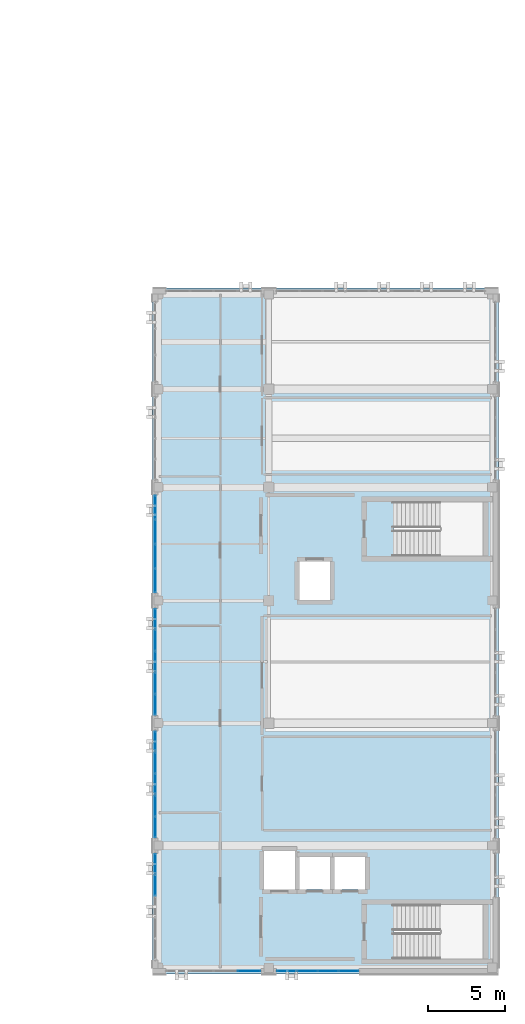
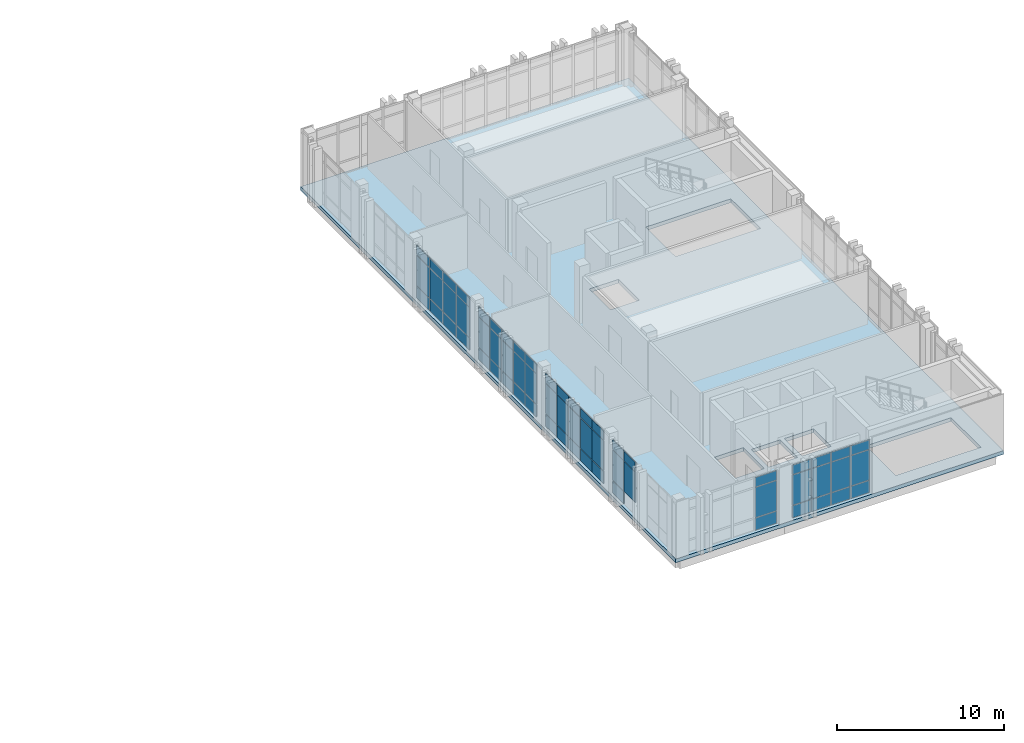
# One storey, part 55 of 77: 62 plates, 1 slab, 6 elements without a shape of their own.
"""IFC4 building model written with IfcOpenShell, lengths in metres."""

from ifc_helpers import new_model, si_unit, direction, frame, origin, origin_2d, place, context, subcontext, project, spatial, polyline, rectangle, outline, extrude, material, layer, layer_set, type_object, element, aggregate, save


model = new_model("IFC4")

# Units and contexts
model_context = context("Model", 3, precision=1e-05, world=origin(), true_north=direction((0.0, 1.0)))
body_context = subcontext(model_context, "Body", "Model", "MODEL_VIEW")
ifc_project = project(units=[si_unit("LENGTHUNIT", "METRE"), si_unit("AREAUNIT", "SQUARE_METRE"), si_unit("VOLUMEUNIT", "CUBIC_METRE"), si_unit("PLANEANGLEUNIT", "RADIAN"), si_unit("MASSUNIT", "GRAM", prefix="KILO")], contexts=[model_context])

# Site, building, storey
site_placement = place(None, origin())
site = spatial("IfcSite", under=ifc_project, at=site_placement, CompositionType="ELEMENT")
building_placement = place(site_placement, origin())
building = spatial("IfcBuilding", under=site, at=building_placement, Name="Qalavern Law Courts", CompositionType="ELEMENT")
storey_placement = place(building_placement, frame((0.0, 0.0, 27.0)))
storey = spatial("IfcBuildingStorey", under=building, at=storey_placement, Name="L06", CompositionType="ELEMENT", Elevation=27.0)

# Curtain wall, plates
ifc_material_1 = material(Name="Anodised aluminium and insulated glazing", Category="aluminium")
ifc_layer_1 = layer(ifc_material_1, 0.159912109375)
ifc_layer_set_1 = layer_set([ifc_layer_1], Name="Anodised aluminium and insulated glazing")
curtain_wall_type = type_object("IfcCurtainWallType", Name="ENV-CW-CHAMB", PredefinedType="USERDEFINED", material=ifc_layer_set_1)
curtain_wall_1_placement = place(storey_placement, origin())
curtain_wall_1 = element("IfcCurtainWall", 1, at=curtain_wall_1_placement, inside=storey, type_object=curtain_wall_type, Name="V4 unitised curtain wall L06 south 1", ObjectType="UNITISED CURTAIN WALL", PredefinedType="USERDEFINED")
ifc_material_2 = material(Name="Insulated low-E acoustic glazing", Category="glass")
ifc_layer_2 = layer(ifc_material_2, 0.031982421875)
ifc_layer_set_2 = layer_set([ifc_layer_2], Name="Insulated low-E acoustic glazing")
plate_type_1 = type_object("IfcPlateType", Name="ENV-CWP-32", PredefinedType="CURTAIN_PANEL", material=ifc_layer_set_2)
plate_1_placement = place(storey_placement, frame((90.512939453125, 41.205078125, 0.048095703125), z_axis=(0.0, 0.0, 1.0), x_axis=(1.0, 0.0, 0.0)))
plate_1 = element("IfcPlate", 2, at=plate_1_placement, type_object=plate_type_1, Name="CW-04 panel 4.1", PredefinedType="CURTAIN_PANEL", context=body_context, shape_type="SweptSolid", body=[
    extrude(rectangle(XDim=1.47802734375, YDim=0.031982421875, at=origin_2d()), origin(), (0.0, 0.0, 1.0), 0.8779296875),
])
plate_2_placement = place(storey_placement, frame((90.512939453125, 41.205078125, 0.973876953125), z_axis=(0.0, 0.0, 1.0), x_axis=(1.0, 0.0, 0.0)))
plate_2 = element("IfcPlate", 3, at=plate_2_placement, type_object=plate_type_1, Name="CW-04 panel 4.2", PredefinedType="CURTAIN_PANEL", context=body_context, shape_type="SweptSolid", body=[
    extrude(rectangle(XDim=1.47802734375, YDim=0.031982421875, at=origin_2d()), origin(), (0.0, 0.0, 1.0), 2.18701171875),
])
plate_3_placement = place(storey_placement, frame((90.512939453125, 41.205078125, 3.208984375), z_axis=(0.0, 0.0, 1.0), x_axis=(1.0, 0.0, 0.0)))
plate_3 = element("IfcPlate", 4, at=plate_3_placement, type_object=plate_type_1, Name="CW-04 panel 4.3", PredefinedType="CURTAIN_PANEL", context=body_context, shape_type="SweptSolid", body=[
    extrude(rectangle(XDim=1.47802734375, YDim=0.031982421875, at=origin_2d()), origin(), (0.0, 0.0, 1.0), 0.677978515625),
])
aggregate(curtain_wall_1, [plate_1, plate_2, plate_3])

curtain_wall_2_placement = place(storey_placement, origin())
curtain_wall_2 = element("IfcCurtainWall", 5, at=curtain_wall_2_placement, inside=storey, type_object=curtain_wall_type, Name="V4 unitised curtain wall L06 south 2", ObjectType="UNITISED CURTAIN WALL", PredefinedType="USERDEFINED")
ifc_layer_3 = layer(ifc_material_2, 0.035888671875)
ifc_layer_set_3 = layer_set([ifc_layer_3], Name="Insulated low-E acoustic glazing")
plate_type_2 = type_object("IfcPlateType", Name="ENV-CWP-36", PredefinedType="CURTAIN_PANEL", material=ifc_layer_set_3)
plate_4_placement = place(storey_placement, frame((92.987060546875, 41.205078125, 0.048095703125), z_axis=(0.0, 0.0, 1.0), x_axis=(1.0, 0.0, 0.0)))
plate_4 = element("IfcPlate", 6, at=plate_4_placement, type_object=plate_type_2, Name="CW-04 panel 1.1", PredefinedType="CURTAIN_PANEL", context=body_context, shape_type="SweptSolid", body=[
    extrude(rectangle(XDim=1.278076171875, YDim=0.035888671875, at=origin_2d()), origin(), (0.0, 0.0, 1.0), 0.8779296875),
])
plate_5_placement = place(storey_placement, frame((92.987060546875, 41.205078125, 0.973876953125), z_axis=(0.0, 0.0, 1.0), x_axis=(1.0, 0.0, 0.0)))
plate_5 = element("IfcPlate", 7, at=plate_5_placement, type_object=plate_type_2, Name="CW-04 panel 1.2", PredefinedType="CURTAIN_PANEL", context=body_context, shape_type="SweptSolid", body=[
    extrude(rectangle(XDim=1.278076171875, YDim=0.035888671875, at=origin_2d()), origin(), (0.0, 0.0, 1.0), 2.18701171875),
])
plate_6_placement = place(storey_placement, frame((92.987060546875, 41.205078125, 3.208984375), z_axis=(0.0, 0.0, 1.0), x_axis=(1.0, 0.0, 0.0)))
plate_6 = element("IfcPlate", 8, at=plate_6_placement, type_object=plate_type_2, Name="CW-04 panel 1.3", PredefinedType="CURTAIN_PANEL", context=body_context, shape_type="SweptSolid", body=[
    extrude(rectangle(XDim=1.278076171875, YDim=0.035888671875, at=origin_2d()), origin(), (0.0, 0.0, 1.0), 0.677978515625),
])
plate_7_placement = place(storey_placement, frame((94.324951171875, 41.205078125, 0.048095703125), z_axis=(0.0, 0.0, 1.0), x_axis=(1.0, 0.0, 0.0)))
plate_7 = element("IfcPlate", 9, at=plate_7_placement, type_object=plate_type_2, Name="CW-04 panel 2.1", PredefinedType="CURTAIN_PANEL", context=body_context, shape_type="SweptSolid", body=[
    extrude(rectangle(XDim=1.302001953125, YDim=0.035888671875, at=origin_2d()), origin(), (0.0, 0.0, 1.0), 0.8779296875),
])
plate_8_placement = place(storey_placement, frame((94.324951171875, 41.205078125, 0.973876953125), z_axis=(0.0, 0.0, 1.0), x_axis=(1.0, 0.0, 0.0)))
plate_8 = element("IfcPlate", 10, at=plate_8_placement, type_object=plate_type_2, Name="CW-04 panel 2.2", PredefinedType="CURTAIN_PANEL", context=body_context, shape_type="SweptSolid", body=[
    extrude(rectangle(XDim=1.302001953125, YDim=0.035888671875, at=origin_2d()), origin(), (0.0, 0.0, 1.0), 2.18701171875),
])
plate_9_placement = place(storey_placement, frame((94.324951171875, 41.205078125, 3.208984375), z_axis=(0.0, 0.0, 1.0), x_axis=(1.0, 0.0, 0.0)))
plate_9 = element("IfcPlate", 11, at=plate_9_placement, type_object=plate_type_2, Name="CW-04 panel 2.3", PredefinedType="CURTAIN_PANEL", context=body_context, shape_type="SweptSolid", body=[
    extrude(rectangle(XDim=1.302001953125, YDim=0.035888671875, at=origin_2d()), origin(), (0.0, 0.0, 1.0), 0.677978515625),
])
plate_10_placement = place(storey_placement, frame((95.675048828125, 41.205078125, 0.048095703125), z_axis=(0.0, 0.0, 1.0), x_axis=(1.0, 0.0, 0.0)))
plate_10 = element("IfcPlate", 12, at=plate_10_placement, type_object=plate_type_2, Name="CW-04 panel 3.1", PredefinedType="CURTAIN_PANEL", context=body_context, shape_type="SweptSolid", body=[
    extrude(rectangle(XDim=1.302001953125, YDim=0.035888671875, at=origin_2d()), origin(), (0.0, 0.0, 1.0), 0.8779296875),
])
plate_11_placement = place(storey_placement, frame((95.675048828125, 41.205078125, 0.973876953125), z_axis=(0.0, 0.0, 1.0), x_axis=(1.0, 0.0, 0.0)))
plate_11 = element("IfcPlate", 13, at=plate_11_placement, type_object=plate_type_2, Name="CW-04 panel 3.2", PredefinedType="CURTAIN_PANEL", context=body_context, shape_type="SweptSolid", body=[
    extrude(rectangle(XDim=1.302001953125, YDim=0.035888671875, at=origin_2d()), origin(), (0.0, 0.0, 1.0), 2.18701171875),
])
plate_12_placement = place(storey_placement, frame((95.675048828125, 41.205078125, 3.208984375), z_axis=(0.0, 0.0, 1.0), x_axis=(1.0, 0.0, 0.0)))
plate_12 = element("IfcPlate", 14, at=plate_12_placement, type_object=plate_type_2, Name="CW-04 panel 3.3", PredefinedType="CURTAIN_PANEL", context=body_context, shape_type="SweptSolid", body=[
    extrude(rectangle(XDim=1.302001953125, YDim=0.035888671875, at=origin_2d()), origin(), (0.0, 0.0, 1.0), 0.677978515625),
])
plate_13_placement = place(storey_placement, frame((97.012939453125, 41.205078125, 0.048095703125), z_axis=(0.0, 0.0, 1.0), x_axis=(1.0, 0.0, 0.0)))
plate_13 = element("IfcPlate", 15, at=plate_13_placement, type_object=plate_type_2, Name="CW-04 panel 4.1", PredefinedType="CURTAIN_PANEL", context=body_context, shape_type="SweptSolid", body=[
    extrude(rectangle(XDim=1.278076171875, YDim=0.035888671875, at=origin_2d()), origin(), (0.0, 0.0, 1.0), 0.8779296875),
])
plate_14_placement = place(storey_placement, frame((97.012939453125, 41.205078125, 0.973876953125), z_axis=(0.0, 0.0, 1.0), x_axis=(1.0, 0.0, 0.0)))
plate_14 = element("IfcPlate", 16, at=plate_14_placement, type_object=plate_type_2, Name="CW-04 panel 4.2", PredefinedType="CURTAIN_PANEL", context=body_context, shape_type="SweptSolid", body=[
    extrude(rectangle(XDim=1.278076171875, YDim=0.035888671875, at=origin_2d()), origin(), (0.0, 0.0, 1.0), 2.18701171875),
])
plate_15_placement = place(storey_placement, frame((97.012939453125, 41.205078125, 3.208984375), z_axis=(0.0, 0.0, 1.0), x_axis=(1.0, 0.0, 0.0)))
plate_15 = element("IfcPlate", 17, at=plate_15_placement, type_object=plate_type_2, Name="CW-04 panel 4.3", PredefinedType="CURTAIN_PANEL", context=body_context, shape_type="SweptSolid", body=[
    extrude(rectangle(XDim=1.278076171875, YDim=0.035888671875, at=origin_2d()), origin(), (0.0, 0.0, 1.0), 0.677978515625),
])
aggregate(curtain_wall_2, [plate_4, plate_5, plate_6, plate_7, plate_8, plate_9, plate_10, plate_11, plate_12, plate_13, plate_14, plate_15])

curtain_wall_3_placement = place(storey_placement, origin())
curtain_wall_3 = element("IfcCurtainWall", 18, at=curtain_wall_3_placement, inside=storey, type_object=curtain_wall_type, Name="V4 unitised curtain wall L06 west 3", ObjectType="UNITISED CURTAIN WALL", PredefinedType="USERDEFINED")
ifc_layer_4 = layer(ifc_material_2, 0.0400390625)
ifc_layer_set_4 = layer_set([ifc_layer_4], Name="Insulated low-E acoustic glazing")
plate_type_3 = type_object("IfcPlateType", Name="ENV-CWP-40", PredefinedType="CURTAIN_PANEL", material=ifc_layer_set_4)
plate_16_placement = place(storey_placement, frame((84.385009765625, 71.488037109375, 0.048095703125), z_axis=(0.0, 0.0, 1.0), x_axis=(0.0, -1.0, 0.0)))
plate_16 = element("IfcPlate", 19, at=plate_16_placement, type_object=plate_type_3, Name="CW-04 panel 1.1", PredefinedType="CURTAIN_PANEL", context=body_context, shape_type="SweptSolid", body=[
    extrude(rectangle(XDim=1.528076171875, YDim=0.0400390625, at=origin_2d()), origin(), (0.0, 0.0, 1.0), 0.8779296875),
])
plate_17_placement = place(storey_placement, frame((84.385009765625, 71.488037109375, 0.973876953125), z_axis=(0.0, 0.0, 1.0), x_axis=(0.0, -1.0, 0.0)))
plate_17 = element("IfcPlate", 20, at=plate_17_placement, type_object=plate_type_3, Name="CW-04 panel 1.2", PredefinedType="CURTAIN_PANEL", context=body_context, shape_type="SweptSolid", body=[
    extrude(rectangle(XDim=1.528076171875, YDim=0.0400390625, at=origin_2d()), origin(), (0.0, 0.0, 1.0), 2.18701171875),
])
plate_18_placement = place(storey_placement, frame((84.385009765625, 71.488037109375, 3.208984375), z_axis=(0.0, 0.0, 1.0), x_axis=(0.0, -1.0, 0.0)))
plate_18 = element("IfcPlate", 21, at=plate_18_placement, type_object=plate_type_3, Name="CW-04 panel 1.3", PredefinedType="CURTAIN_PANEL", context=body_context, shape_type="SweptSolid", body=[
    extrude(rectangle(XDim=1.528076171875, YDim=0.0400390625, at=origin_2d()), origin(), (0.0, 0.0, 1.0), 0.677978515625),
])
plate_19_placement = place(storey_placement, frame((84.385009765625, 69.89990234375, 0.048095703125), z_axis=(0.0, 0.0, 1.0), x_axis=(0.0, -1.0, 0.0)))
plate_19 = element("IfcPlate", 22, at=plate_19_placement, type_object=plate_type_3, Name="CW-04 panel 2.1", PredefinedType="CURTAIN_PANEL", context=body_context, shape_type="SweptSolid", body=[
    extrude(rectangle(XDim=1.552001953125, YDim=0.0400390625, at=origin_2d()), origin(), (0.0, 0.0, 1.0), 0.8779296875),
])
plate_20_placement = place(storey_placement, frame((84.385009765625, 69.89990234375, 0.973876953125), z_axis=(0.0, 0.0, 1.0), x_axis=(0.0, -1.0, 0.0)))
plate_20 = element("IfcPlate", 23, at=plate_20_placement, type_object=plate_type_3, Name="CW-04 panel 2.2", PredefinedType="CURTAIN_PANEL", context=body_context, shape_type="SweptSolid", body=[
    extrude(rectangle(XDim=1.552001953125, YDim=0.0400390625, at=origin_2d()), origin(), (0.0, 0.0, 1.0), 2.18701171875),
])
plate_21_placement = place(storey_placement, frame((84.385009765625, 69.89990234375, 3.208984375), z_axis=(0.0, 0.0, 1.0), x_axis=(0.0, -1.0, 0.0)))
plate_21 = element("IfcPlate", 24, at=plate_21_placement, type_object=plate_type_3, Name="CW-04 panel 2.3", PredefinedType="CURTAIN_PANEL", context=body_context, shape_type="SweptSolid", body=[
    extrude(rectangle(XDim=1.552001953125, YDim=0.0400390625, at=origin_2d()), origin(), (0.0, 0.0, 1.0), 0.677978515625),
])
plate_22_placement = place(storey_placement, frame((84.385009765625, 68.300048828125, 0.048095703125), z_axis=(0.0, 0.0, 1.0), x_axis=(0.0, -1.0, 0.0)))
plate_22 = element("IfcPlate", 25, at=plate_22_placement, type_object=plate_type_3, Name="CW-04 panel 3.1", PredefinedType="CURTAIN_PANEL", context=body_context, shape_type="SweptSolid", body=[
    extrude(rectangle(XDim=1.552001953125, YDim=0.0400390625, at=origin_2d()), origin(), (0.0, 0.0, 1.0), 0.8779296875),
])
plate_23_placement = place(storey_placement, frame((84.385009765625, 68.300048828125, 0.973876953125), z_axis=(0.0, 0.0, 1.0), x_axis=(0.0, -1.0, 0.0)))
plate_23 = element("IfcPlate", 26, at=plate_23_placement, type_object=plate_type_3, Name="CW-04 panel 3.2", PredefinedType="CURTAIN_PANEL", context=body_context, shape_type="SweptSolid", body=[
    extrude(rectangle(XDim=1.552001953125, YDim=0.0400390625, at=origin_2d()), origin(), (0.0, 0.0, 1.0), 2.18701171875),
])
plate_24_placement = place(storey_placement, frame((84.385009765625, 68.300048828125, 3.208984375), z_axis=(0.0, 0.0, 1.0), x_axis=(0.0, -1.0, 0.0)))
plate_24 = element("IfcPlate", 27, at=plate_24_placement, type_object=plate_type_3, Name="CW-04 panel 3.3", PredefinedType="CURTAIN_PANEL", context=body_context, shape_type="SweptSolid", body=[
    extrude(rectangle(XDim=1.552001953125, YDim=0.0400390625, at=origin_2d()), origin(), (0.0, 0.0, 1.0), 0.677978515625),
])
plate_25_placement = place(storey_placement, frame((84.385009765625, 66.7119140625, 0.048095703125), z_axis=(0.0, 0.0, 1.0), x_axis=(0.0, -1.0, 0.0)))
plate_25 = element("IfcPlate", 28, at=plate_25_placement, type_object=plate_type_3, Name="CW-04 panel 4.1", PredefinedType="CURTAIN_PANEL", context=body_context, shape_type="SweptSolid", body=[
    extrude(rectangle(XDim=1.528076171875, YDim=0.0400390625, at=origin_2d()), origin(), (0.0, 0.0, 1.0), 0.8779296875),
])
plate_26_placement = place(storey_placement, frame((84.385009765625, 66.7119140625, 0.973876953125), z_axis=(0.0, 0.0, 1.0), x_axis=(0.0, -1.0, 0.0)))
plate_26 = element("IfcPlate", 29, at=plate_26_placement, type_object=plate_type_3, Name="CW-04 panel 4.2", PredefinedType="CURTAIN_PANEL", context=body_context, shape_type="SweptSolid", body=[
    extrude(rectangle(XDim=1.528076171875, YDim=0.0400390625, at=origin_2d()), origin(), (0.0, 0.0, 1.0), 2.18701171875),
])
plate_27_placement = place(storey_placement, frame((84.385009765625, 66.7119140625, 3.208984375), z_axis=(0.0, 0.0, 1.0), x_axis=(0.0, -1.0, 0.0)))
plate_27 = element("IfcPlate", 30, at=plate_27_placement, type_object=plate_type_3, Name="CW-04 panel 4.3", PredefinedType="CURTAIN_PANEL", context=body_context, shape_type="SweptSolid", body=[
    extrude(rectangle(XDim=1.528076171875, YDim=0.0400390625, at=origin_2d()), origin(), (0.0, 0.0, 1.0), 0.677978515625),
])
aggregate(curtain_wall_3, [plate_16, plate_17, plate_18, plate_19, plate_20, plate_21, plate_22, plate_23, plate_24, plate_25, plate_26, plate_27])

curtain_wall_4_placement = place(storey_placement, origin())
curtain_wall_4 = element("IfcCurtainWall", 31, at=curtain_wall_4_placement, inside=storey, type_object=curtain_wall_type, Name="V4 unitised curtain wall L06 west 4", ObjectType="UNITISED CURTAIN WALL", PredefinedType="USERDEFINED")
ifc_layer_5 = layer(ifc_material_2, 0.0439453125)
ifc_layer_set_5 = layer_set([ifc_layer_5], Name="Insulated low-E acoustic glazing")
plate_type_4 = type_object("IfcPlateType", Name="ENV-CWP-44", PredefinedType="CURTAIN_PANEL", material=ifc_layer_set_5)
plate_28_placement = place(storey_placement, frame((84.385009765625, 64.18798828125, 0.048095703125), z_axis=(0.0, 0.0, 1.0), x_axis=(0.0, -1.0, 0.0)))
plate_28 = element("IfcPlate", 32, at=plate_28_placement, type_object=plate_type_4, Name="CW-04 panel 1.1", PredefinedType="CURTAIN_PANEL", context=body_context, shape_type="SweptSolid", body=[
    extrude(rectangle(XDim=1.327880859375, YDim=0.0439453125, at=origin_2d()), origin(), (0.0, 0.0, 1.0), 0.8779296875),
])
plate_29_placement = place(storey_placement, frame((84.385009765625, 64.18798828125, 0.973876953125), z_axis=(0.0, 0.0, 1.0), x_axis=(0.0, -1.0, 0.0)))
plate_29 = element("IfcPlate", 33, at=plate_29_placement, type_object=plate_type_4, Name="CW-04 panel 1.2", PredefinedType="CURTAIN_PANEL", context=body_context, shape_type="SweptSolid", body=[
    extrude(rectangle(XDim=1.327880859375, YDim=0.0439453125, at=origin_2d()), origin(), (0.0, 0.0, 1.0), 2.18701171875),
])
plate_30_placement = place(storey_placement, frame((84.385009765625, 64.18798828125, 3.208984375), z_axis=(0.0, 0.0, 1.0), x_axis=(0.0, -1.0, 0.0)))
plate_30 = element("IfcPlate", 34, at=plate_30_placement, type_object=plate_type_4, Name="CW-04 panel 1.3", PredefinedType="CURTAIN_PANEL", context=body_context, shape_type="SweptSolid", body=[
    extrude(rectangle(XDim=1.327880859375, YDim=0.0439453125, at=origin_2d()), origin(), (0.0, 0.0, 1.0), 0.677978515625),
])
plate_31_placement = place(storey_placement, frame((84.385009765625, 62.800048828125, 0.048095703125), z_axis=(0.0, 0.0, 1.0), x_axis=(0.0, -1.0, 0.0)))
plate_31 = element("IfcPlate", 35, at=plate_31_placement, type_object=plate_type_4, Name="CW-04 panel 2.1", PredefinedType="CURTAIN_PANEL", context=body_context, shape_type="SweptSolid", body=[
    extrude(rectangle(XDim=1.35205078125, YDim=0.0439453125, at=origin_2d()), origin(), (0.0, 0.0, 1.0), 0.8779296875),
])
plate_32_placement = place(storey_placement, frame((84.385009765625, 62.800048828125, 0.973876953125), z_axis=(0.0, 0.0, 1.0), x_axis=(0.0, -1.0, 0.0)))
plate_32 = element("IfcPlate", 36, at=plate_32_placement, type_object=plate_type_4, Name="CW-04 panel 2.2", PredefinedType="CURTAIN_PANEL", context=body_context, shape_type="SweptSolid", body=[
    extrude(rectangle(XDim=1.35205078125, YDim=0.0439453125, at=origin_2d()), origin(), (0.0, 0.0, 1.0), 2.18701171875),
])
plate_33_placement = place(storey_placement, frame((84.385009765625, 62.800048828125, 3.208984375), z_axis=(0.0, 0.0, 1.0), x_axis=(0.0, -1.0, 0.0)))
plate_33 = element("IfcPlate", 37, at=plate_33_placement, type_object=plate_type_4, Name="CW-04 panel 2.3", PredefinedType="CURTAIN_PANEL", context=body_context, shape_type="SweptSolid", body=[
    extrude(rectangle(XDim=1.35205078125, YDim=0.0439453125, at=origin_2d()), origin(), (0.0, 0.0, 1.0), 0.677978515625),
])
plate_34_placement = place(storey_placement, frame((84.385009765625, 61.39990234375, 0.048095703125), z_axis=(0.0, 0.0, 1.0), x_axis=(0.0, -1.0, 0.0)))
plate_34 = element("IfcPlate", 38, at=plate_34_placement, type_object=plate_type_4, Name="CW-04 panel 3.1", PredefinedType="CURTAIN_PANEL", context=body_context, shape_type="SweptSolid", body=[
    extrude(rectangle(XDim=1.35205078125, YDim=0.0439453125, at=origin_2d()), origin(), (0.0, 0.0, 1.0), 0.8779296875),
])
plate_35_placement = place(storey_placement, frame((84.385009765625, 61.39990234375, 0.973876953125), z_axis=(0.0, 0.0, 1.0), x_axis=(0.0, -1.0, 0.0)))
plate_35 = element("IfcPlate", 39, at=plate_35_placement, type_object=plate_type_4, Name="CW-04 panel 3.2", PredefinedType="CURTAIN_PANEL", context=body_context, shape_type="SweptSolid", body=[
    extrude(rectangle(XDim=1.35205078125, YDim=0.0439453125, at=origin_2d()), origin(), (0.0, 0.0, 1.0), 2.18701171875),
])
plate_36_placement = place(storey_placement, frame((84.385009765625, 61.39990234375, 3.208984375), z_axis=(0.0, 0.0, 1.0), x_axis=(0.0, -1.0, 0.0)))
plate_36 = element("IfcPlate", 40, at=plate_36_placement, type_object=plate_type_4, Name="CW-04 panel 3.3", PredefinedType="CURTAIN_PANEL", context=body_context, shape_type="SweptSolid", body=[
    extrude(rectangle(XDim=1.35205078125, YDim=0.0439453125, at=origin_2d()), origin(), (0.0, 0.0, 1.0), 0.677978515625),
])
plate_37_placement = place(storey_placement, frame((84.385009765625, 60.0, 0.048095703125), z_axis=(0.0, 0.0, 1.0), x_axis=(0.0, -1.0, 0.0)))
plate_37 = element("IfcPlate", 41, at=plate_37_placement, type_object=plate_type_4, Name="CW-04 panel 4.1", PredefinedType="CURTAIN_PANEL", context=body_context, shape_type="SweptSolid", body=[
    extrude(rectangle(XDim=1.35205078125, YDim=0.0439453125, at=origin_2d()), origin(), (0.0, 0.0, 1.0), 0.8779296875),
])
plate_38_placement = place(storey_placement, frame((84.385009765625, 60.0, 0.973876953125), z_axis=(0.0, 0.0, 1.0), x_axis=(0.0, -1.0, 0.0)))
plate_38 = element("IfcPlate", 42, at=plate_38_placement, type_object=plate_type_4, Name="CW-04 panel 4.2", PredefinedType="CURTAIN_PANEL", context=body_context, shape_type="SweptSolid", body=[
    extrude(rectangle(XDim=1.35205078125, YDim=0.0439453125, at=origin_2d()), origin(), (0.0, 0.0, 1.0), 2.18701171875),
])
plate_39_placement = place(storey_placement, frame((84.385009765625, 60.0, 3.208984375), z_axis=(0.0, 0.0, 1.0), x_axis=(0.0, -1.0, 0.0)))
plate_39 = element("IfcPlate", 43, at=plate_39_placement, type_object=plate_type_4, Name="CW-04 panel 4.3", PredefinedType="CURTAIN_PANEL", context=body_context, shape_type="SweptSolid", body=[
    extrude(rectangle(XDim=1.35205078125, YDim=0.0439453125, at=origin_2d()), origin(), (0.0, 0.0, 1.0), 0.677978515625),
])
plate_40_placement = place(storey_placement, frame((84.385009765625, 58.612060546875, 0.048095703125), z_axis=(0.0, 0.0, 1.0), x_axis=(0.0, -1.0, 0.0)))
plate_40 = element("IfcPlate", 44, at=plate_40_placement, type_object=plate_type_4, Name="CW-04 panel 5.1", PredefinedType="CURTAIN_PANEL", context=body_context, shape_type="SweptSolid", body=[
    extrude(rectangle(XDim=1.327880859375, YDim=0.0439453125, at=origin_2d()), origin(), (0.0, 0.0, 1.0), 0.8779296875),
])
plate_41_placement = place(storey_placement, frame((84.385009765625, 58.612060546875, 0.973876953125), z_axis=(0.0, 0.0, 1.0), x_axis=(0.0, -1.0, 0.0)))
plate_41 = element("IfcPlate", 45, at=plate_41_placement, type_object=plate_type_4, Name="CW-04 panel 5.2", PredefinedType="CURTAIN_PANEL", context=body_context, shape_type="SweptSolid", body=[
    extrude(rectangle(XDim=1.327880859375, YDim=0.0439453125, at=origin_2d()), origin(), (0.0, 0.0, 1.0), 2.18701171875),
])
plate_42_placement = place(storey_placement, frame((84.385009765625, 58.612060546875, 3.208984375), z_axis=(0.0, 0.0, 1.0), x_axis=(0.0, -1.0, 0.0)))
plate_42 = element("IfcPlate", 46, at=plate_42_placement, type_object=plate_type_4, Name="CW-04 panel 5.3", PredefinedType="CURTAIN_PANEL", context=body_context, shape_type="SweptSolid", body=[
    extrude(rectangle(XDim=1.327880859375, YDim=0.0439453125, at=origin_2d()), origin(), (0.0, 0.0, 1.0), 0.677978515625),
])
aggregate(curtain_wall_4, [plate_28, plate_29, plate_30, plate_31, plate_32, plate_33, plate_34, plate_35, plate_36, plate_37, plate_38, plate_39, plate_40, plate_41, plate_42])

curtain_wall_5_placement = place(storey_placement, origin())
curtain_wall_5 = element("IfcCurtainWall", 47, at=curtain_wall_5_placement, inside=storey, type_object=curtain_wall_type, Name="V4 unitised curtain wall L06 west 5", ObjectType="UNITISED CURTAIN WALL", PredefinedType="USERDEFINED")
ifc_layer_6 = layer(ifc_material_2, 0.048095703125)
ifc_layer_set_6 = layer_set([ifc_layer_6], Name="Insulated low-E acoustic glazing")
plate_type_5 = type_object("IfcPlateType", Name="ENV-CWP-48", PredefinedType="CURTAIN_PANEL", material=ifc_layer_set_6)
plate_43_placement = place(storey_placement, frame((84.385009765625, 56.18798828125, 0.048095703125), z_axis=(0.0, 0.0, 1.0), x_axis=(0.0, -1.0, 0.0)))
plate_43 = element("IfcPlate", 48, at=plate_43_placement, type_object=plate_type_5, Name="CW-04 panel 1.1", PredefinedType="CURTAIN_PANEL", context=body_context, shape_type="SweptSolid", body=[
    extrude(rectangle(XDim=1.327880859375, YDim=0.048095703125, at=origin_2d()), origin(), (0.0, 0.0, 1.0), 0.8779296875),
])
plate_44_placement = place(storey_placement, frame((84.385009765625, 56.18798828125, 0.973876953125), z_axis=(0.0, 0.0, 1.0), x_axis=(0.0, -1.0, 0.0)))
plate_44 = element("IfcPlate", 49, at=plate_44_placement, type_object=plate_type_5, Name="CW-04 panel 1.2", PredefinedType="CURTAIN_PANEL", context=body_context, shape_type="SweptSolid", body=[
    extrude(rectangle(XDim=1.327880859375, YDim=0.048095703125, at=origin_2d()), origin(), (0.0, 0.0, 1.0), 2.18701171875),
])
plate_45_placement = place(storey_placement, frame((84.385009765625, 56.18798828125, 3.208984375), z_axis=(0.0, 0.0, 1.0), x_axis=(0.0, -1.0, 0.0)))
plate_45 = element("IfcPlate", 50, at=plate_45_placement, type_object=plate_type_5, Name="CW-04 panel 1.3", PredefinedType="CURTAIN_PANEL", context=body_context, shape_type="SweptSolid", body=[
    extrude(rectangle(XDim=1.327880859375, YDim=0.048095703125, at=origin_2d()), origin(), (0.0, 0.0, 1.0), 0.677978515625),
])
plate_46_placement = place(storey_placement, frame((84.385009765625, 54.800048828125, 0.048095703125), z_axis=(0.0, 0.0, 1.0), x_axis=(0.0, -1.0, 0.0)))
plate_46 = element("IfcPlate", 51, at=plate_46_placement, type_object=plate_type_5, Name="CW-04 panel 2.1", PredefinedType="CURTAIN_PANEL", context=body_context, shape_type="SweptSolid", body=[
    extrude(rectangle(XDim=1.35205078125, YDim=0.048095703125, at=origin_2d()), origin(), (0.0, 0.0, 1.0), 0.8779296875),
])
plate_47_placement = place(storey_placement, frame((84.385009765625, 54.800048828125, 0.973876953125), z_axis=(0.0, 0.0, 1.0), x_axis=(0.0, -1.0, 0.0)))
plate_47 = element("IfcPlate", 52, at=plate_47_placement, type_object=plate_type_5, Name="CW-04 panel 2.2", PredefinedType="CURTAIN_PANEL", context=body_context, shape_type="SweptSolid", body=[
    extrude(rectangle(XDim=1.35205078125, YDim=0.048095703125, at=origin_2d()), origin(), (0.0, 0.0, 1.0), 2.18701171875),
])
plate_48_placement = place(storey_placement, frame((84.385009765625, 54.800048828125, 3.208984375), z_axis=(0.0, 0.0, 1.0), x_axis=(0.0, -1.0, 0.0)))
plate_48 = element("IfcPlate", 53, at=plate_48_placement, type_object=plate_type_5, Name="CW-04 panel 2.3", PredefinedType="CURTAIN_PANEL", context=body_context, shape_type="SweptSolid", body=[
    extrude(rectangle(XDim=1.35205078125, YDim=0.048095703125, at=origin_2d()), origin(), (0.0, 0.0, 1.0), 0.677978515625),
])
plate_49_placement = place(storey_placement, frame((84.385009765625, 53.39990234375, 0.048095703125), z_axis=(0.0, 0.0, 1.0), x_axis=(0.0, -1.0, 0.0)))
plate_49 = element("IfcPlate", 54, at=plate_49_placement, type_object=plate_type_5, Name="CW-04 panel 3.1", PredefinedType="CURTAIN_PANEL", context=body_context, shape_type="SweptSolid", body=[
    extrude(rectangle(XDim=1.35205078125, YDim=0.048095703125, at=origin_2d()), origin(), (0.0, 0.0, 1.0), 0.8779296875),
])
plate_50_placement = place(storey_placement, frame((84.385009765625, 53.39990234375, 0.973876953125), z_axis=(0.0, 0.0, 1.0), x_axis=(0.0, -1.0, 0.0)))
plate_50 = element("IfcPlate", 55, at=plate_50_placement, type_object=plate_type_5, Name="CW-04 panel 3.2", PredefinedType="CURTAIN_PANEL", context=body_context, shape_type="SweptSolid", body=[
    extrude(rectangle(XDim=1.35205078125, YDim=0.048095703125, at=origin_2d()), origin(), (0.0, 0.0, 1.0), 2.18701171875),
])
plate_51_placement = place(storey_placement, frame((84.385009765625, 53.39990234375, 3.208984375), z_axis=(0.0, 0.0, 1.0), x_axis=(0.0, -1.0, 0.0)))
plate_51 = element("IfcPlate", 56, at=plate_51_placement, type_object=plate_type_5, Name="CW-04 panel 3.3", PredefinedType="CURTAIN_PANEL", context=body_context, shape_type="SweptSolid", body=[
    extrude(rectangle(XDim=1.35205078125, YDim=0.048095703125, at=origin_2d()), origin(), (0.0, 0.0, 1.0), 0.677978515625),
])
plate_52_placement = place(storey_placement, frame((84.385009765625, 52.0, 0.048095703125), z_axis=(0.0, 0.0, 1.0), x_axis=(0.0, -1.0, 0.0)))
plate_52 = element("IfcPlate", 57, at=plate_52_placement, type_object=plate_type_5, Name="CW-04 panel 4.1", PredefinedType="CURTAIN_PANEL", context=body_context, shape_type="SweptSolid", body=[
    extrude(rectangle(XDim=1.35205078125, YDim=0.048095703125, at=origin_2d()), origin(), (0.0, 0.0, 1.0), 0.8779296875),
])
plate_53_placement = place(storey_placement, frame((84.385009765625, 52.0, 0.973876953125), z_axis=(0.0, 0.0, 1.0), x_axis=(0.0, -1.0, 0.0)))
plate_53 = element("IfcPlate", 58, at=plate_53_placement, type_object=plate_type_5, Name="CW-04 panel 4.2", PredefinedType="CURTAIN_PANEL", context=body_context, shape_type="SweptSolid", body=[
    extrude(rectangle(XDim=1.35205078125, YDim=0.048095703125, at=origin_2d()), origin(), (0.0, 0.0, 1.0), 2.18701171875),
])
plate_54_placement = place(storey_placement, frame((84.385009765625, 52.0, 3.208984375), z_axis=(0.0, 0.0, 1.0), x_axis=(0.0, -1.0, 0.0)))
plate_54 = element("IfcPlate", 59, at=plate_54_placement, type_object=plate_type_5, Name="CW-04 panel 4.3", PredefinedType="CURTAIN_PANEL", context=body_context, shape_type="SweptSolid", body=[
    extrude(rectangle(XDim=1.35205078125, YDim=0.048095703125, at=origin_2d()), origin(), (0.0, 0.0, 1.0), 0.677978515625),
])
plate_55_placement = place(storey_placement, frame((84.385009765625, 50.612060546875, 0.048095703125), z_axis=(0.0, 0.0, 1.0), x_axis=(0.0, -1.0, 0.0)))
plate_55 = element("IfcPlate", 60, at=plate_55_placement, type_object=plate_type_5, Name="CW-04 panel 5.1", PredefinedType="CURTAIN_PANEL", context=body_context, shape_type="SweptSolid", body=[
    extrude(rectangle(XDim=1.327880859375, YDim=0.048095703125, at=origin_2d()), origin(), (0.0, 0.0, 1.0), 0.8779296875),
])
plate_56_placement = place(storey_placement, frame((84.385009765625, 50.612060546875, 0.973876953125), z_axis=(0.0, 0.0, 1.0), x_axis=(0.0, -1.0, 0.0)))
plate_56 = element("IfcPlate", 61, at=plate_56_placement, type_object=plate_type_5, Name="CW-04 panel 5.2", PredefinedType="CURTAIN_PANEL", context=body_context, shape_type="SweptSolid", body=[
    extrude(rectangle(XDim=1.327880859375, YDim=0.048095703125, at=origin_2d()), origin(), (0.0, 0.0, 1.0), 2.18701171875),
])
plate_57_placement = place(storey_placement, frame((84.385009765625, 50.612060546875, 3.208984375), z_axis=(0.0, 0.0, 1.0), x_axis=(0.0, -1.0, 0.0)))
plate_57 = element("IfcPlate", 62, at=plate_57_placement, type_object=plate_type_5, Name="CW-04 panel 5.3", PredefinedType="CURTAIN_PANEL", context=body_context, shape_type="SweptSolid", body=[
    extrude(rectangle(XDim=1.327880859375, YDim=0.048095703125, at=origin_2d()), origin(), (0.0, 0.0, 1.0), 0.677978515625),
])
aggregate(curtain_wall_5, [plate_43, plate_44, plate_45, plate_46, plate_47, plate_48, plate_49, plate_50, plate_51, plate_52, plate_53, plate_54, plate_55, plate_56, plate_57])

curtain_wall_6_placement = place(storey_placement, origin())
curtain_wall_6 = element("IfcCurtainWall", 63, at=curtain_wall_6_placement, inside=storey, type_object=curtain_wall_type, Name="V4 unitised curtain wall L06 west 6", ObjectType="UNITISED CURTAIN WALL", PredefinedType="USERDEFINED")
ifc_layer_7 = layer(ifc_material_2, 0.052001953125)
ifc_layer_set_7 = layer_set([ifc_layer_7], Name="Insulated low-E acoustic glazing")
plate_type_6 = type_object("IfcPlateType", Name="ENV-CWP-52", PredefinedType="CURTAIN_PANEL", material=ifc_layer_set_7)
plate_58_placement = place(storey_placement, frame((84.385009765625, 48.19140625, 0.048095703125), z_axis=(0.0, 0.0, 1.0), x_axis=(0.0, -1.0, 0.0)))
plate_58 = element("IfcPlate", 64, at=plate_58_placement, type_object=plate_type_6, Name="CW-04 panel 1.1", PredefinedType="CURTAIN_PANEL", context=body_context, shape_type="SweptSolid", body=[
    extrude(rectangle(XDim=1.321044921875, YDim=0.052001953125, at=origin_2d()), origin(), (0.0, 0.0, 1.0), 0.8779296875),
])
plate_59_placement = place(storey_placement, frame((84.385009765625, 48.19140625, 0.973876953125), z_axis=(0.0, 0.0, 1.0), x_axis=(0.0, -1.0, 0.0)))
plate_59 = element("IfcPlate", 65, at=plate_59_placement, type_object=plate_type_6, Name="CW-04 panel 1.2", PredefinedType="CURTAIN_PANEL", context=body_context, shape_type="SweptSolid", body=[
    extrude(rectangle(XDim=1.321044921875, YDim=0.052001953125, at=origin_2d()), origin(), (0.0, 0.0, 1.0), 2.18701171875),
])
plate_60_placement = place(storey_placement, frame((84.385009765625, 48.19140625, 3.208984375), z_axis=(0.0, 0.0, 1.0), x_axis=(0.0, -1.0, 0.0)))
plate_60 = element("IfcPlate", 66, at=plate_60_placement, type_object=plate_type_6, Name="CW-04 panel 1.3", PredefinedType="CURTAIN_PANEL", context=body_context, shape_type="SweptSolid", body=[
    extrude(rectangle(XDim=1.321044921875, YDim=0.052001953125, at=origin_2d()), origin(), (0.0, 0.0, 1.0), 0.677978515625),
])
plate_61_placement = place(storey_placement, frame((84.385009765625, 46.810546875, 0.973876953125), z_axis=(0.0, 0.0, 1.0), x_axis=(0.0, -1.0, 0.0)))
plate_61 = element("IfcPlate", 67, at=plate_61_placement, type_object=plate_type_6, Name="CW-04 panel 2.2", PredefinedType="CURTAIN_PANEL", context=body_context, shape_type="SweptSolid", body=[
    extrude(rectangle(XDim=1.344970703125, YDim=0.052001953125, at=origin_2d()), origin(), (0.0, 0.0, 1.0), 2.18701171875),
])
plate_62_placement = place(storey_placement, frame((84.385009765625, 46.810546875, 3.208984375), z_axis=(0.0, 0.0, 1.0), x_axis=(0.0, -1.0, 0.0)))
plate_62 = element("IfcPlate", 68, at=plate_62_placement, type_object=plate_type_6, Name="CW-04 panel 2.3", PredefinedType="CURTAIN_PANEL", context=body_context, shape_type="SweptSolid", body=[
    extrude(rectangle(XDim=1.344970703125, YDim=0.052001953125, at=origin_2d()), origin(), (0.0, 0.0, 1.0), 0.677978515625),
])
aggregate(curtain_wall_6, [plate_58, plate_59, plate_60, plate_61, plate_62])

# Slab
ifc_material_3 = material(Name="Concrete C35/45", Category="concrete")
ifc_layer_8 = layer(ifc_material_3, 0.27001953125)
ifc_layer_set_8 = layer_set([ifc_layer_8], Name="Concrete C35/45")
slab_type = type_object("IfcSlabType", Name="STR-SLB-L06-270", PredefinedType="FLOOR", material=ifc_layer_set_8)
slab_placement = place(storey_placement, frame((0.0, 0.0, -0.27001953125)))
element("IfcSlab", 69, at=slab_placement, inside=storey, type_object=slab_type, Name="V4 floor slab L06", PredefinedType="FLOOR", context=body_context, shape_type="SweptSolid", body=[
    extrude(outline(polyline([(84.199951171875, 41.02001953125), (106.800048828125, 41.02001953125), (106.800048828125, 85.800048828125), (84.199951171875, 85.800048828125), (84.199951171875, 41.02001953125)]), holes=[polyline([(99.93994140625, 42.0), (105.800048828125, 42.0), (105.800048828125, 45.550048828125), (99.93994140625, 45.550048828125), (99.93994140625, 42.0)]), polyline([(91.5, 46.550048828125), (93.5, 46.550048828125), (93.5, 49.050048828125), (91.5, 49.050048828125), (91.5, 46.550048828125)]), polyline([(93.800048828125, 46.550048828125), (95.800048828125, 46.550048828125), (95.800048828125, 48.64990234375), (93.800048828125, 48.64990234375), (93.800048828125, 46.550048828125)]), polyline([(96.10009765625, 46.550048828125), (98.10009765625, 46.550048828125), (98.10009765625, 48.64990234375), (96.10009765625, 48.64990234375), (96.10009765625, 46.550048828125)]), polyline([(99.93994140625, 68.300048828125), (105.800048828125, 68.300048828125), (105.800048828125, 71.85009765625), (99.93994140625, 71.85009765625), (99.93994140625, 68.300048828125)]), polyline([(93.800048828125, 65.449951171875), (95.800048828125, 65.449951171875), (95.800048828125, 67.949951171875), (93.800048828125, 67.949951171875), (93.800048828125, 65.449951171875)])]), origin(), (0.0, 0.0, 1.0), 0.27001953125),
])

save(model, "model.ifc")
